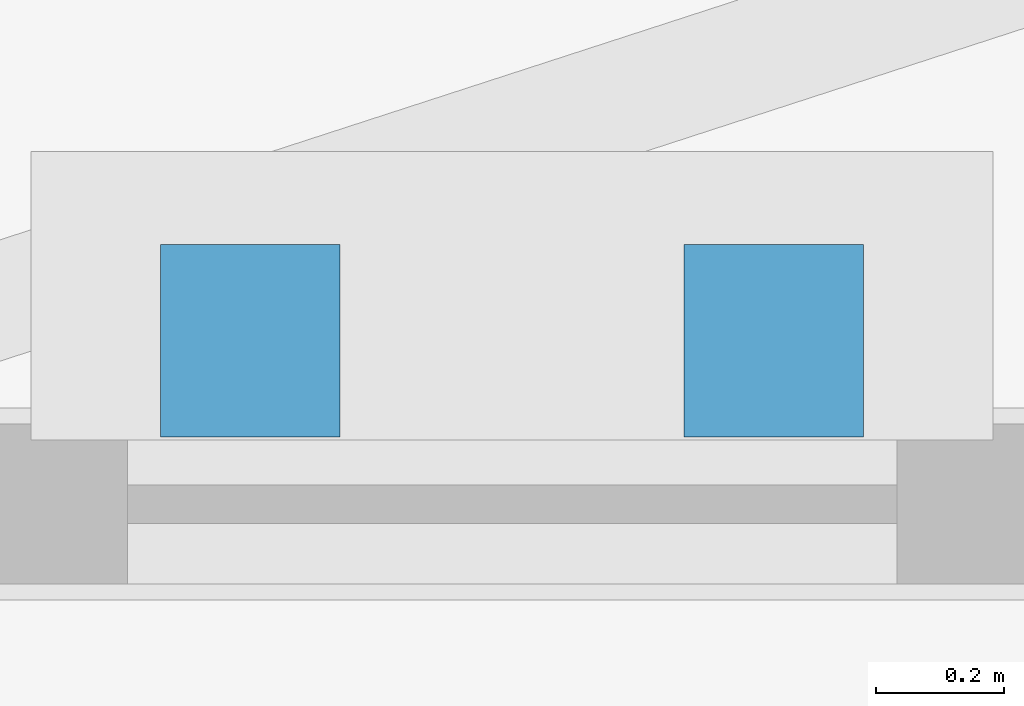
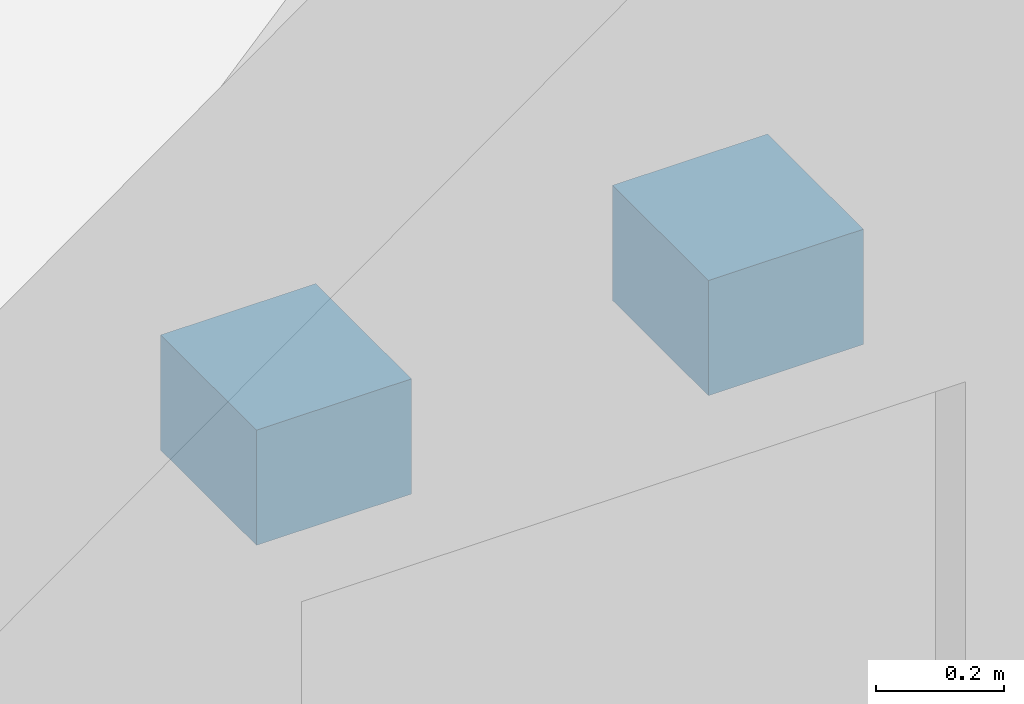
# One storey, part 113 of 123: 2 discrete accessories.
"""IFC4 building model written with IfcOpenShell, lengths in metres."""

from ifc_helpers import new_model, si_unit, direction, frame, origin, origin_2d, place, context, subcontext, project, spatial, rectangle, extrude, material, type_object, element, save


model = new_model("IFC4")

# Units and contexts
model_context = context("Model", 3, precision=1e-05, world=origin(), true_north=direction((0.0, 1.0)))
body_context = subcontext(model_context, "Body", "Model", "MODEL_VIEW")
ifc_project = project(units=[si_unit("LENGTHUNIT", "METRE"), si_unit("AREAUNIT", "SQUARE_METRE"), si_unit("VOLUMEUNIT", "CUBIC_METRE"), si_unit("PLANEANGLEUNIT", "RADIAN"), si_unit("MASSUNIT", "GRAM", prefix="KILO")], contexts=[model_context])

# Site, building, storey
site_placement = place(None, origin())
site = spatial("IfcSite", under=ifc_project, at=site_placement, CompositionType="ELEMENT")
building_placement = place(site_placement, origin())
building = spatial("IfcBuilding", under=site, at=building_placement, Name="Tenunan Teduh Sports Hall", CompositionType="ELEMENT")
storey_placement = place(building_placement, origin())
storey = spatial("IfcBuildingStorey", under=building, at=storey_placement, Name="L00", CompositionType="ELEMENT", Elevation=0.0)

# Discrete accessories
ifc_material = material(Name="Steel S355", Category="steel")
discrete_accessory_type = type_object("IfcDiscreteAccessoryType", Name="BRK-SHD-1", PredefinedType="BRACKET", material=ifc_material)
for number, where, z_axis, x_axis, name in (
    (1, (139.366943359375, 118.2548828125, 2.64990234375), (0.0, 0.0, 1.0), (1.0, 0.0, 0.0), "BRK-L00-078-1"),
    (2, (140.18310546875, 118.2548828125, 2.64990234375), (0.0, 0.0, 1.0), (1.0, 0.0, 0.0), "BRK-L00-078-2"),
):
    element("IfcDiscreteAccessory", number, at=place(storey_placement, frame(where, z_axis=z_axis, x_axis=x_axis)), inside=storey, type_object=discrete_accessory_type, Name=name, PredefinedType="BRACKET", context=body_context, shape_type="SweptSolid", body=[
        extrude(rectangle(XDim=0.280029296875, YDim=0.300048828125, at=origin_2d()), origin(), (0.0, 0.0, 1.0), 0.219970703125),
    ])

save(model, "model.ifc")
